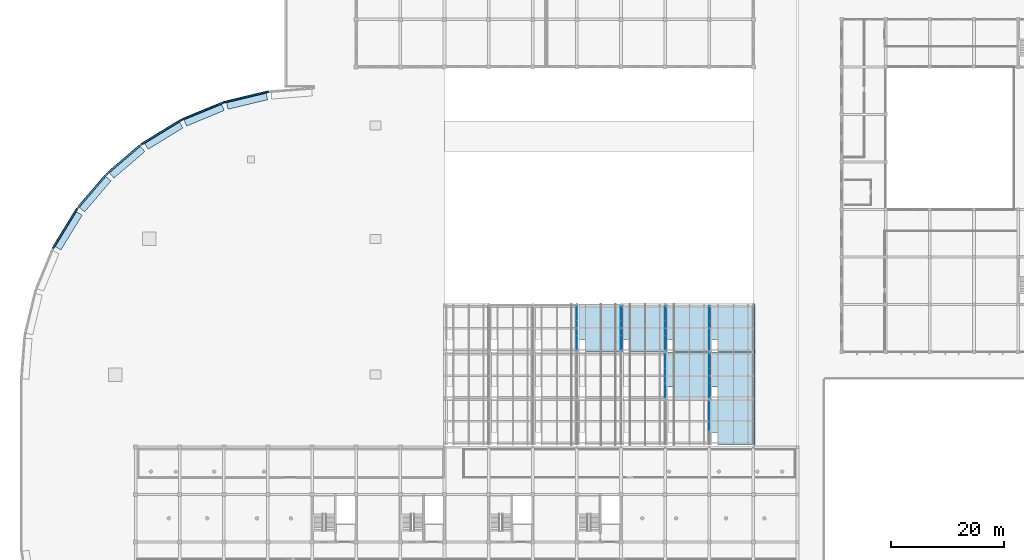
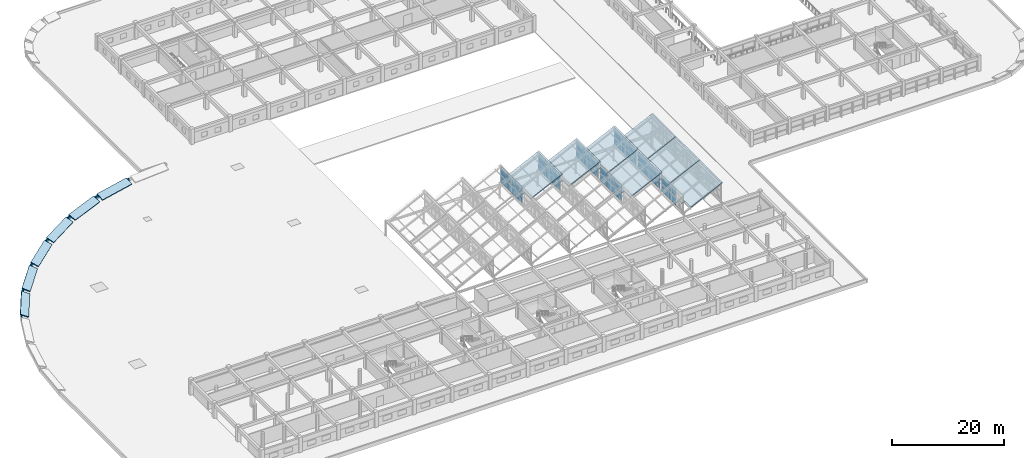
# One storey, part 77 of 101: 46 plates, 13 slabs, 7 elements without a shape of their own.
"""IFC4 building model written with IfcOpenShell, lengths in metres."""

import ifcopenshell
import ifcopenshell.guid

model = None  # the IFC model being written
_history = None  # IfcOwnerHistory: only IFC2X3 demands one
_inside = {}  # id of a spatial element -> (the spatial element, [elements in it])
_under = {}  # id of a project, library or spatial element -> (it, [spatial elements below it])
_declared = {}  # id of a project -> (the project, [libraries it declares])
_typed = {}  # id of a type object -> (the type object, [elements of that type])
_made_of = {}  # id of a material, layer set ... -> (it, [elements and type objects made of it])


def new_model(schema):
    """Start an empty IFC model of exactly this schema.

    Asked for "IFC4X3", IfcOpenShell would pick the latest addendum, in which some entities
    have other attributes; the version numbers below select the first issue.
    IFC2X3 requires an IfcOwnerHistory on every rooted entity: one is made here for all.
    """
    global model, _history
    if schema == "IFC4X3":
        model = ifcopenshell.file(schema_version=(4, 3, 0, 0))
    else:
        model = ifcopenshell.file(schema=schema)
    _inside.clear()
    _under.clear()
    _declared.clear()
    _typed.clear()
    _made_of.clear()
    _history = None
    if model.schema == "IFC2X3":
        org = make("IfcOrganization", Name="unknown")
        user = make(
            "IfcPersonAndOrganization",
            ThePerson=make("IfcPerson", FamilyName="unknown"),
            TheOrganization=org,
        )
        app = make(
            "IfcApplication",
            ApplicationDeveloper=org,
            Version="unknown",
            ApplicationFullName="unknown",
            ApplicationIdentifier="unknown",
        )
        _history = make(
            "IfcOwnerHistory",
            OwningUser=user,
            OwningApplication=app,
            ChangeAction="ADDED",
            CreationDate=0,
        )
    return model


def make(cls, **values):
    """One entity of the class cls with the attributes given. An attribute that is None is left unset."""
    return model.create_entity(
        cls, **{name: value for name, value in values.items() if value is not None}
    )


def rooted(cls, **values):
    """An entity with a GlobalId (a new one), such as an element, a storey or a relation."""
    return make(cls, GlobalId=ifcopenshell.guid.new(), OwnerHistory=_history, **values)


def si_unit(unit_type, name, prefix=None):
    """IfcSIUnit, for example si_unit("LENGTHUNIT", "METRE", prefix="MILLI")."""
    return make("IfcSIUnit", UnitType=unit_type, Prefix=prefix, Name=name)


def assignment(units):
    """IfcUnitAssignment: the units of a project."""
    return None if units is None else make("IfcUnitAssignment", Units=units)


def point(xyz):
    """IfcCartesianPoint."""
    return None if xyz is None else make("IfcCartesianPoint", Coordinates=xyz)


def direction(xyz):
    """IfcDirection."""
    return None if xyz is None else make("IfcDirection", DirectionRatios=xyz)


def frame(location, z_axis=None, x_axis=None):
    """IfcAxis2Placement3D, a coordinate frame: its origin and axes. An axis left out is left unset."""
    return make(
        "IfcAxis2Placement3D",
        Location=point(location),
        Axis=direction(z_axis),
        RefDirection=direction(x_axis),
    )


def frame_2d(location, x_axis=None):
    """IfcAxis2Placement2D, a coordinate frame in the plane: its origin and x axis."""
    return make(
        "IfcAxis2Placement2D", Location=point(location), RefDirection=direction(x_axis)
    )


def origin():
    """The frame at (0, 0, 0) with its axes left unset."""
    return frame((0.0, 0.0, 0.0))


def origin_2d():
    """The frame at (0, 0) in the plane with its x axis left unset."""
    return frame_2d((0.0, 0.0))


def place(relative_to, where):
    """IfcLocalPlacement: puts the frame where relative to a parent placement (None: the world)."""
    return make(
        "IfcLocalPlacement", PlacementRelTo=relative_to, RelativePlacement=where
    )


def context(
    kind, dimensions, precision=None, world=None, true_north=None, identifier=None
):
    """IfcGeometricRepresentationContext, for example the 3D "Model" context."""
    return make(
        "IfcGeometricRepresentationContext",
        ContextIdentifier=identifier,
        ContextType=kind,
        CoordinateSpaceDimension=dimensions,
        Precision=precision,
        WorldCoordinateSystem=world,
        TrueNorth=true_north,
    )


def subcontext(parent, identifier, kind, view, scale=None):
    """IfcGeometricRepresentationSubContext, for example "Body" below "Model"."""
    return make(
        "IfcGeometricRepresentationSubContext",
        ContextIdentifier=identifier,
        ContextType=kind,
        ParentContext=parent,
        TargetScale=scale,
        TargetView=view,
    )


def project(units=None, contexts=None):
    """IfcProject with its units and contexts."""
    return rooted(
        "IfcProject",
        Name="project",
        RepresentationContexts=contexts,
        UnitsInContext=assignment(units),
    )


def spatial(cls, under=None, at=None, **own):
    """A site, building, storey or space (cls), placed at a placement, below another one or the project."""
    s = rooted(cls, ObjectPlacement=at, **own)
    if under is not None:
        _under.setdefault(under.id(), (under, []))[1].append(s)
    return s


def polyline(points):
    """IfcPolyline through the points."""
    return make("IfcPolyline", Points=[point(p) for p in points])


def profile(cls, at=None, kind="AREA", **sizes):
    """A parametric profile (cls). Its sizes go by their IFC names, for example OverallWidth=200.0."""
    return make(cls, ProfileType=kind, Position=at, **sizes)


def rectangle(**sizes):
    """IfcRectangleProfileDef."""
    return profile("IfcRectangleProfileDef", **sizes)


def outline(outer, holes=None, kind="AREA"):
    """IfcArbitraryClosedProfileDef: a profile drawn as a closed curve; with holes, ...WithVoids."""
    if holes is None:
        return make("IfcArbitraryClosedProfileDef", ProfileType=kind, OuterCurve=outer)
    return make(
        "IfcArbitraryProfileDefWithVoids",
        ProfileType=kind,
        OuterCurve=outer,
        InnerCurves=holes,
    )


def extrude(swept, where, along, depth):
    """IfcExtrudedAreaSolid: the profile swept, set in the frame where, extruded along a direction by depth."""
    return make(
        "IfcExtrudedAreaSolid",
        SweptArea=swept,
        Position=where,
        ExtrudedDirection=direction(along),
        Depth=depth,
    )


def shape(context_of_items, identifier, shape_type, items):
    """IfcShapeRepresentation: the items that make up one representation, for example the "Body"."""
    return make(
        "IfcShapeRepresentation",
        ContextOfItems=context_of_items,
        RepresentationIdentifier=identifier,
        RepresentationType=shape_type,
        Items=items,
    )


def material(Name=None, Category=None):
    """IfcMaterial."""
    return make("IfcMaterial", Name=Name, Category=Category)


def layer(
    of_material, thickness, ventilated=None, Name=None, Category=None, Priority=None
):
    """IfcMaterialLayer: one layer of a wall or slab, of a material (None: an air gap)."""
    return make(
        "IfcMaterialLayer",
        Material=of_material,
        LayerThickness=thickness,
        IsVentilated=ventilated,
        Name=Name,
        Category=Category,
        Priority=Priority,
    )


def layer_set(layers, Name=None):
    """IfcMaterialLayerSet."""
    return make("IfcMaterialLayerSet", MaterialLayers=layers, LayerSetName=Name)


def made_of(thing, what):
    """Note that an element or type object is made of a material, layer set ...; save() writes the relation."""
    if what is not None:
        _made_of.setdefault(what.id(), (what, []))[1].append(thing)
    return thing


def type_object(cls, material=None, **own):
    """A type object (cls), such as IfcWallType, which elements share."""
    return made_of(rooted(cls, **own), material)


def element(
    cls,
    number,
    at=None,
    inside=None,
    cuts=None,
    type_object=None,
    material=None,
    context=None,
    identifier="Body",
    shape_type=None,
    held_by="IfcProductDefinitionShape",
    body=None,
    shapes=None,
    **own,
):
    """One element of the class cls, such as IfcWall. Its Tag is "e" and its number.

    at: its placement. inside: the storey or other place that contains it. cuts: it is an
    opening in that element (IfcRelVoidsElement). A single representation is given by context,
    identifier, shape_type and body (its items); several are given by shapes. held_by: the class
    of the entity that holds the representations. save() writes the other relations.
    """
    e = rooted(cls, Tag="e%d" % number, ObjectPlacement=at, **own)
    if body is not None:
        shapes = [shape(context, identifier, shape_type, body)]
    if shapes is not None:
        e.Representation = make(held_by, Representations=shapes)
    if inside is not None:
        _inside.setdefault(inside.id(), (inside, []))[1].append(e)
    if cuts is not None:
        rooted(
            "IfcRelVoidsElement", RelatingBuildingElement=cuts, RelatedOpeningElement=e
        )
    if type_object is not None:
        _typed.setdefault(type_object.id(), (type_object, []))[1].append(e)
    return made_of(e, material)


def aggregate(whole, parts):
    """IfcRelAggregates: a whole, such as a stair, and the parts it consists of."""
    return rooted("IfcRelAggregates", RelatingObject=whole, RelatedObjects=parts)


def save(model, path):
    """Write the relations noted so far, then the file.

    IfcRelAggregates (storeys below a building ...), IfcRelContainedInSpatialStructure (elements
    in a storey), IfcRelDefinesByType, IfcRelAssociatesMaterial and IfcRelDeclares: one each for
    every whole, place, type object, material and project.
    """
    for whole, parts in _under.values():
        aggregate(whole, parts)
    for where, things in _inside.values():
        rooted(
            "IfcRelContainedInSpatialStructure",
            RelatedElements=things,
            RelatingStructure=where,
        )
    for kind, things in _typed.values():
        rooted("IfcRelDefinesByType", RelatedObjects=things, RelatingType=kind)
    for what, things in _made_of.values():
        rooted("IfcRelAssociatesMaterial", RelatedObjects=things, RelatingMaterial=what)
    for by, libraries in _declared.values():
        rooted("IfcRelDeclares", RelatingContext=by, RelatedDefinitions=libraries)
    model.write(path)


model = new_model("IFC4")

# Units and contexts
model_context = context("Model", 3, precision=1e-05, world=origin(), true_north=direction((0.0, 1.0)))
body_context = subcontext(model_context, "Body", "Model", "MODEL_VIEW")
ifc_project = project(units=[si_unit("LENGTHUNIT", "METRE"), si_unit("AREAUNIT", "SQUARE_METRE"), si_unit("VOLUMEUNIT", "CUBIC_METRE"), si_unit("PLANEANGLEUNIT", "RADIAN"), si_unit("MASSUNIT", "GRAM", prefix="KILO")], contexts=[model_context])

# Site, building, storey
site_placement = place(None, origin())
site = spatial("IfcSite", under=ifc_project, at=site_placement, CompositionType="ELEMENT")
building_placement = place(site_placement, origin())
building = spatial("IfcBuilding", under=site, at=building_placement, Name="Zizhar Promenade General Hospital", CompositionType="ELEMENT")
storey_placement = place(building_placement, frame((0.0, 0.0, 14.39990234375)))
storey = spatial("IfcBuildingStorey", under=building, at=storey_placement, Name="L03", CompositionType="ELEMENT", Elevation=14.39990234375)

# Curtain wall, plates
ifc_material_1 = material(Name="Anodised aluminium 6063-T6 and low-E glass", Category="aluminium")
ifc_layer_1 = layer(ifc_material_1, 0.159912109375)
ifc_layer_set_1 = layer_set([ifc_layer_1], Name="Anodised aluminium 6063-T6 and low-E glass")
curtain_wall_type_1 = type_object("IfcCurtainWallType", Name="CW-SAW-NL3", PredefinedType="NOTDEFINED", material=ifc_layer_set_1)
curtain_wall_1_placement = place(storey_placement, origin())
curtain_wall_1 = element("IfcCurtainWall", 1, at=curtain_wall_1_placement, inside=storey, type_object=curtain_wall_type_1, Name="Sawtooth Clerestory Light B3-S3", PredefinedType="NOTDEFINED")
ifc_material_2 = material(Name="Low-E solar-control glass", Category="glass")
ifc_layer_2 = layer(ifc_material_2, 0.028076171875)
ifc_layer_set_2 = layer_set([ifc_layer_2], Name="Low-E solar-control glass")
plate_type_1 = type_object("IfcPlateType", Name="CWP-GLZ-28", PredefinedType="CURTAIN_PANEL", material=ifc_layer_set_2)
plate_1_placement = place(storey_placement, frame((93.60009765625, 43.614990234375, 3.91015625), z_axis=(0.0, 0.0, 1.0), x_axis=(0.0, 1.0, 0.0)))
plate_1 = element("IfcPlate", 2, at=plate_1_placement, type_object=plate_type_1, Name="CW-05 panel 1.1", PredefinedType="CURTAIN_PANEL", context=body_context, shape_type="SweptSolid", body=[
    extrude(rectangle(XDim=2.510009765625, YDim=0.028076171875, at=origin_2d()), origin(), (0.0, 0.0, 1.0), 1.760009765625),
])
plate_2_placement = place(storey_placement, frame((93.60009765625, 43.614990234375, 5.72998046875), z_axis=(0.0, 0.0, 1.0), x_axis=(0.0, 1.0, 0.0)))
plate_2 = element("IfcPlate", 3, at=plate_2_placement, type_object=plate_type_1, Name="CW-05 panel 1.2", PredefinedType="CURTAIN_PANEL", context=body_context, shape_type="SweptSolid", body=[
    extrude(rectangle(XDim=2.510009765625, YDim=0.028076171875, at=origin_2d()), origin(), (0.0, 0.0, 1.0), 1.760009765625),
])
plate_3_placement = place(storey_placement, frame((93.60009765625, 46.199951171875, 3.91015625), z_axis=(0.0, 0.0, 1.0), x_axis=(0.0, 1.0, 0.0)))
plate_3 = element("IfcPlate", 4, at=plate_3_placement, type_object=plate_type_1, Name="CW-05 panel 2.1", PredefinedType="CURTAIN_PANEL", context=body_context, shape_type="SweptSolid", body=[
    extrude(rectangle(XDim=2.5400390625, YDim=0.028076171875, at=origin_2d()), origin(), (0.0, 0.0, 1.0), 1.760009765625),
])
plate_4_placement = place(storey_placement, frame((93.60009765625, 46.199951171875, 5.72998046875), z_axis=(0.0, 0.0, 1.0), x_axis=(0.0, 1.0, 0.0)))
plate_4 = element("IfcPlate", 5, at=plate_4_placement, type_object=plate_type_1, Name="CW-05 panel 2.2", PredefinedType="CURTAIN_PANEL", context=body_context, shape_type="SweptSolid", body=[
    extrude(rectangle(XDim=2.5400390625, YDim=0.028076171875, at=origin_2d()), origin(), (0.0, 0.0, 1.0), 1.760009765625),
])
plate_5_placement = place(storey_placement, frame((93.60009765625, 48.784912109375, 3.91015625), z_axis=(0.0, 0.0, 1.0), x_axis=(0.0, 1.0, 0.0)))
plate_5 = element("IfcPlate", 6, at=plate_5_placement, type_object=plate_type_1, Name="CW-05 panel 3.1", PredefinedType="CURTAIN_PANEL", context=body_context, shape_type="SweptSolid", body=[
    extrude(rectangle(XDim=2.510009765625, YDim=0.028076171875, at=origin_2d()), origin(), (0.0, 0.0, 1.0), 1.760009765625),
])
plate_6_placement = place(storey_placement, frame((93.60009765625, 48.784912109375, 5.72998046875), z_axis=(0.0, 0.0, 1.0), x_axis=(0.0, 1.0, 0.0)))
plate_6 = element("IfcPlate", 7, at=plate_6_placement, type_object=plate_type_1, Name="CW-05 panel 3.2", PredefinedType="CURTAIN_PANEL", context=body_context, shape_type="SweptSolid", body=[
    extrude(rectangle(XDim=2.510009765625, YDim=0.028076171875, at=origin_2d()), origin(), (0.0, 0.0, 1.0), 1.760009765625),
])
aggregate(curtain_wall_1, [plate_1, plate_2, plate_3, plate_4, plate_5, plate_6])

curtain_wall_2_placement = place(storey_placement, origin())
curtain_wall_2 = element("IfcCurtainWall", 8, at=curtain_wall_2_placement, inside=storey, type_object=curtain_wall_type_1, Name="Sawtooth Clerestory Light B4-S3", PredefinedType="NOTDEFINED")
plate_7_placement = place(storey_placement, frame((101.39990234375, 43.614990234375, 3.91015625), z_axis=(0.0, 0.0, 1.0), x_axis=(0.0, 1.0, 0.0)))
plate_7 = element("IfcPlate", 9, at=plate_7_placement, type_object=plate_type_1, Name="CW-05 panel 1.1", PredefinedType="CURTAIN_PANEL", context=body_context, shape_type="SweptSolid", body=[
    extrude(rectangle(XDim=2.510009765625, YDim=0.028076171875, at=origin_2d()), origin(), (0.0, 0.0, 1.0), 1.760009765625),
])
plate_8_placement = place(storey_placement, frame((101.39990234375, 43.614990234375, 5.72998046875), z_axis=(0.0, 0.0, 1.0), x_axis=(0.0, 1.0, 0.0)))
plate_8 = element("IfcPlate", 10, at=plate_8_placement, type_object=plate_type_1, Name="CW-05 panel 1.2", PredefinedType="CURTAIN_PANEL", context=body_context, shape_type="SweptSolid", body=[
    extrude(rectangle(XDim=2.510009765625, YDim=0.028076171875, at=origin_2d()), origin(), (0.0, 0.0, 1.0), 1.760009765625),
])
plate_9_placement = place(storey_placement, frame((101.39990234375, 46.199951171875, 3.91015625), z_axis=(0.0, 0.0, 1.0), x_axis=(0.0, 1.0, 0.0)))
plate_9 = element("IfcPlate", 11, at=plate_9_placement, type_object=plate_type_1, Name="CW-05 panel 2.1", PredefinedType="CURTAIN_PANEL", context=body_context, shape_type="SweptSolid", body=[
    extrude(rectangle(XDim=2.5400390625, YDim=0.028076171875, at=origin_2d()), origin(), (0.0, 0.0, 1.0), 1.760009765625),
])
plate_10_placement = place(storey_placement, frame((101.39990234375, 46.199951171875, 5.72998046875), z_axis=(0.0, 0.0, 1.0), x_axis=(0.0, 1.0, 0.0)))
plate_10 = element("IfcPlate", 12, at=plate_10_placement, type_object=plate_type_1, Name="CW-05 panel 2.2", PredefinedType="CURTAIN_PANEL", context=body_context, shape_type="SweptSolid", body=[
    extrude(rectangle(XDim=2.5400390625, YDim=0.028076171875, at=origin_2d()), origin(), (0.0, 0.0, 1.0), 1.760009765625),
])
plate_11_placement = place(storey_placement, frame((101.39990234375, 48.784912109375, 3.91015625), z_axis=(0.0, 0.0, 1.0), x_axis=(0.0, 1.0, 0.0)))
plate_11 = element("IfcPlate", 13, at=plate_11_placement, type_object=plate_type_1, Name="CW-05 panel 3.1", PredefinedType="CURTAIN_PANEL", context=body_context, shape_type="SweptSolid", body=[
    extrude(rectangle(XDim=2.510009765625, YDim=0.028076171875, at=origin_2d()), origin(), (0.0, 0.0, 1.0), 1.760009765625),
])
plate_12_placement = place(storey_placement, frame((101.39990234375, 48.784912109375, 5.72998046875), z_axis=(0.0, 0.0, 1.0), x_axis=(0.0, 1.0, 0.0)))
plate_12 = element("IfcPlate", 14, at=plate_12_placement, type_object=plate_type_1, Name="CW-05 panel 3.2", PredefinedType="CURTAIN_PANEL", context=body_context, shape_type="SweptSolid", body=[
    extrude(rectangle(XDim=2.510009765625, YDim=0.028076171875, at=origin_2d()), origin(), (0.0, 0.0, 1.0), 1.760009765625),
])
aggregate(curtain_wall_2, [plate_7, plate_8, plate_9, plate_10, plate_11, plate_12])

ifc_material_3 = material(Name="Anodised aluminium 6063-T6 and low-E glass", Category="aluminium")
ifc_layer_3 = layer(ifc_material_3, 0.159912109375)
ifc_layer_set_3 = layer_set([ifc_layer_3], Name="Anodised aluminium 6063-T6 and low-E glass")
curtain_wall_type_2 = type_object("IfcCurtainWallType", Name="CW-SAW-NL2", PredefinedType="NOTDEFINED", material=ifc_layer_set_3)
curtain_wall_3_placement = place(storey_placement, origin())
curtain_wall_3 = element("IfcCurtainWall", 15, at=curtain_wall_3_placement, inside=storey, type_object=curtain_wall_type_2, Name="Sawtooth Clerestory Light B5-S2", PredefinedType="NOTDEFINED")
plate_13_placement = place(storey_placement, frame((109.199951171875, 35.215087890625, 3.91015625), z_axis=(0.0, 0.0, 1.0), x_axis=(0.0, 1.0, 0.0)))
plate_13 = element("IfcPlate", 16, at=plate_13_placement, type_object=plate_type_1, Name="CW-04 panel 1.1", PredefinedType="CURTAIN_PANEL", context=body_context, shape_type="SweptSolid", body=[
    extrude(rectangle(XDim=2.510009765625, YDim=0.028076171875, at=origin_2d()), origin(), (0.0, 0.0, 1.0), 1.760009765625),
])
plate_14_placement = place(storey_placement, frame((109.199951171875, 35.215087890625, 5.72998046875), z_axis=(0.0, 0.0, 1.0), x_axis=(0.0, 1.0, 0.0)))
plate_14 = element("IfcPlate", 17, at=plate_14_placement, type_object=plate_type_1, Name="CW-04 panel 1.2", PredefinedType="CURTAIN_PANEL", context=body_context, shape_type="SweptSolid", body=[
    extrude(rectangle(XDim=2.510009765625, YDim=0.028076171875, at=origin_2d()), origin(), (0.0, 0.0, 1.0), 1.760009765625),
])
plate_15_placement = place(storey_placement, frame((109.199951171875, 37.800048828125, 3.91015625), z_axis=(0.0, 0.0, 1.0), x_axis=(0.0, 1.0, 0.0)))
plate_15 = element("IfcPlate", 18, at=plate_15_placement, type_object=plate_type_1, Name="CW-04 panel 2.1", PredefinedType="CURTAIN_PANEL", context=body_context, shape_type="SweptSolid", body=[
    extrude(rectangle(XDim=2.5400390625, YDim=0.028076171875, at=origin_2d()), origin(), (0.0, 0.0, 1.0), 1.760009765625),
])
plate_16_placement = place(storey_placement, frame((109.199951171875, 37.800048828125, 5.72998046875), z_axis=(0.0, 0.0, 1.0), x_axis=(0.0, 1.0, 0.0)))
plate_16 = element("IfcPlate", 19, at=plate_16_placement, type_object=plate_type_1, Name="CW-04 panel 2.2", PredefinedType="CURTAIN_PANEL", context=body_context, shape_type="SweptSolid", body=[
    extrude(rectangle(XDim=2.5400390625, YDim=0.028076171875, at=origin_2d()), origin(), (0.0, 0.0, 1.0), 1.760009765625),
])
plate_17_placement = place(storey_placement, frame((109.199951171875, 40.385009765625, 3.91015625), z_axis=(0.0, 0.0, 1.0), x_axis=(0.0, 1.0, 0.0)))
plate_17 = element("IfcPlate", 20, at=plate_17_placement, type_object=plate_type_1, Name="CW-04 panel 3.1", PredefinedType="CURTAIN_PANEL", context=body_context, shape_type="SweptSolid", body=[
    extrude(rectangle(XDim=2.510009765625, YDim=0.028076171875, at=origin_2d()), origin(), (0.0, 0.0, 1.0), 1.760009765625),
])
plate_18_placement = place(storey_placement, frame((109.199951171875, 40.385009765625, 5.72998046875), z_axis=(0.0, 0.0, 1.0), x_axis=(0.0, 1.0, 0.0)))
plate_18 = element("IfcPlate", 21, at=plate_18_placement, type_object=plate_type_1, Name="CW-04 panel 3.2", PredefinedType="CURTAIN_PANEL", context=body_context, shape_type="SweptSolid", body=[
    extrude(rectangle(XDim=2.510009765625, YDim=0.028076171875, at=origin_2d()), origin(), (0.0, 0.0, 1.0), 1.760009765625),
])
aggregate(curtain_wall_3, [plate_13, plate_14, plate_15, plate_16, plate_17, plate_18])

curtain_wall_4_placement = place(storey_placement, origin())
curtain_wall_4 = element("IfcCurtainWall", 22, at=curtain_wall_4_placement, inside=storey, type_object=curtain_wall_type_1, Name="Sawtooth Clerestory Light B5-S3", PredefinedType="NOTDEFINED")
plate_19_placement = place(storey_placement, frame((109.199951171875, 43.614990234375, 3.91015625), z_axis=(0.0, 0.0, 1.0), x_axis=(0.0, 1.0, 0.0)))
plate_19 = element("IfcPlate", 23, at=plate_19_placement, type_object=plate_type_1, Name="CW-05 panel 1.1", PredefinedType="CURTAIN_PANEL", context=body_context, shape_type="SweptSolid", body=[
    extrude(rectangle(XDim=2.510009765625, YDim=0.028076171875, at=origin_2d()), origin(), (0.0, 0.0, 1.0), 1.760009765625),
])
plate_20_placement = place(storey_placement, frame((109.199951171875, 43.614990234375, 5.72998046875), z_axis=(0.0, 0.0, 1.0), x_axis=(0.0, 1.0, 0.0)))
plate_20 = element("IfcPlate", 24, at=plate_20_placement, type_object=plate_type_1, Name="CW-05 panel 1.2", PredefinedType="CURTAIN_PANEL", context=body_context, shape_type="SweptSolid", body=[
    extrude(rectangle(XDim=2.510009765625, YDim=0.028076171875, at=origin_2d()), origin(), (0.0, 0.0, 1.0), 1.760009765625),
])
plate_21_placement = place(storey_placement, frame((109.199951171875, 46.199951171875, 3.91015625), z_axis=(0.0, 0.0, 1.0), x_axis=(0.0, 1.0, 0.0)))
plate_21 = element("IfcPlate", 25, at=plate_21_placement, type_object=plate_type_1, Name="CW-05 panel 2.1", PredefinedType="CURTAIN_PANEL", context=body_context, shape_type="SweptSolid", body=[
    extrude(rectangle(XDim=2.5400390625, YDim=0.028076171875, at=origin_2d()), origin(), (0.0, 0.0, 1.0), 1.760009765625),
])
plate_22_placement = place(storey_placement, frame((109.199951171875, 46.199951171875, 5.72998046875), z_axis=(0.0, 0.0, 1.0), x_axis=(0.0, 1.0, 0.0)))
plate_22 = element("IfcPlate", 26, at=plate_22_placement, type_object=plate_type_1, Name="CW-05 panel 2.2", PredefinedType="CURTAIN_PANEL", context=body_context, shape_type="SweptSolid", body=[
    extrude(rectangle(XDim=2.5400390625, YDim=0.028076171875, at=origin_2d()), origin(), (0.0, 0.0, 1.0), 1.760009765625),
])
plate_23_placement = place(storey_placement, frame((109.199951171875, 48.784912109375, 3.91015625), z_axis=(0.0, 0.0, 1.0), x_axis=(0.0, 1.0, 0.0)))
plate_23 = element("IfcPlate", 27, at=plate_23_placement, type_object=plate_type_1, Name="CW-05 panel 3.1", PredefinedType="CURTAIN_PANEL", context=body_context, shape_type="SweptSolid", body=[
    extrude(rectangle(XDim=2.510009765625, YDim=0.028076171875, at=origin_2d()), origin(), (0.0, 0.0, 1.0), 1.760009765625),
])
plate_24_placement = place(storey_placement, frame((109.199951171875, 48.784912109375, 5.72998046875), z_axis=(0.0, 0.0, 1.0), x_axis=(0.0, 1.0, 0.0)))
plate_24 = element("IfcPlate", 28, at=plate_24_placement, type_object=plate_type_1, Name="CW-05 panel 3.2", PredefinedType="CURTAIN_PANEL", context=body_context, shape_type="SweptSolid", body=[
    extrude(rectangle(XDim=2.510009765625, YDim=0.028076171875, at=origin_2d()), origin(), (0.0, 0.0, 1.0), 1.760009765625),
])
aggregate(curtain_wall_4, [plate_19, plate_20, plate_21, plate_22, plate_23, plate_24])

ifc_material_4 = material(Name="Anodised aluminium 6063-T6 and low-E glass", Category="aluminium")
ifc_layer_4 = layer(ifc_material_4, 0.159912109375)
ifc_layer_set_4 = layer_set([ifc_layer_4], Name="Anodised aluminium 6063-T6 and low-E glass")
curtain_wall_type_3 = type_object("IfcCurtainWallType", Name="CW-SAW-NL1", PredefinedType="NOTDEFINED", material=ifc_layer_set_4)
curtain_wall_5_placement = place(storey_placement, origin())
curtain_wall_5 = element("IfcCurtainWall", 29, at=curtain_wall_5_placement, inside=storey, type_object=curtain_wall_type_3, Name="Sawtooth Clerestory Light B6-S1", PredefinedType="NOTDEFINED")
plate_25_placement = place(storey_placement, frame((117.0, 29.449951171875, 3.91015625), z_axis=(0.0, 0.0, 1.0), x_axis=(0.0, 1.0, 0.0)))
plate_25 = element("IfcPlate", 30, at=plate_25_placement, type_object=plate_type_1, Name="CW-03 panel 2.1", PredefinedType="CURTAIN_PANEL", context=body_context, shape_type="SweptSolid", body=[
    extrude(rectangle(XDim=2.506591796875, YDim=0.028076171875, at=origin_2d()), origin(), (0.0, 0.0, 1.0), 1.760009765625),
])
plate_26_placement = place(storey_placement, frame((117.0, 29.449951171875, 5.72998046875), z_axis=(0.0, 0.0, 1.0), x_axis=(0.0, 1.0, 0.0)))
plate_26 = element("IfcPlate", 31, at=plate_26_placement, type_object=plate_type_1, Name="CW-03 panel 2.2", PredefinedType="CURTAIN_PANEL", context=body_context, shape_type="SweptSolid", body=[
    extrude(rectangle(XDim=2.506591796875, YDim=0.028076171875, at=origin_2d()), origin(), (0.0, 0.0, 1.0), 1.760009765625),
])
plate_27_placement = place(storey_placement, frame((117.0, 32.001708984375, 3.91015625), z_axis=(0.0, 0.0, 1.0), x_axis=(0.0, 1.0, 0.0)))
plate_27 = element("IfcPlate", 32, at=plate_27_placement, type_object=plate_type_1, Name="CW-03 panel 3.1", PredefinedType="CURTAIN_PANEL", context=body_context, shape_type="SweptSolid", body=[
    extrude(rectangle(XDim=2.4765625, YDim=0.028076171875, at=origin_2d()), origin(), (0.0, 0.0, 1.0), 1.760009765625),
])
plate_28_placement = place(storey_placement, frame((117.0, 32.001708984375, 5.72998046875), z_axis=(0.0, 0.0, 1.0), x_axis=(0.0, 1.0, 0.0)))
plate_28 = element("IfcPlate", 33, at=plate_28_placement, type_object=plate_type_1, Name="CW-03 panel 3.2", PredefinedType="CURTAIN_PANEL", context=body_context, shape_type="SweptSolid", body=[
    extrude(rectangle(XDim=2.4765625, YDim=0.028076171875, at=origin_2d()), origin(), (0.0, 0.0, 1.0), 1.760009765625),
])
aggregate(curtain_wall_5, [plate_25, plate_26, plate_27, plate_28])

curtain_wall_6_placement = place(storey_placement, origin())
curtain_wall_6 = element("IfcCurtainWall", 34, at=curtain_wall_6_placement, inside=storey, type_object=curtain_wall_type_2, Name="Sawtooth Clerestory Light B6-S2", PredefinedType="NOTDEFINED")
plate_29_placement = place(storey_placement, frame((117.0, 35.215087890625, 3.91015625), z_axis=(0.0, 0.0, 1.0), x_axis=(0.0, 1.0, 0.0)))
plate_29 = element("IfcPlate", 35, at=plate_29_placement, type_object=plate_type_1, Name="CW-04 panel 1.1", PredefinedType="CURTAIN_PANEL", context=body_context, shape_type="SweptSolid", body=[
    extrude(rectangle(XDim=2.510009765625, YDim=0.028076171875, at=origin_2d()), origin(), (0.0, 0.0, 1.0), 1.760009765625),
])
plate_30_placement = place(storey_placement, frame((117.0, 35.215087890625, 5.72998046875), z_axis=(0.0, 0.0, 1.0), x_axis=(0.0, 1.0, 0.0)))
plate_30 = element("IfcPlate", 36, at=plate_30_placement, type_object=plate_type_1, Name="CW-04 panel 1.2", PredefinedType="CURTAIN_PANEL", context=body_context, shape_type="SweptSolid", body=[
    extrude(rectangle(XDim=2.510009765625, YDim=0.028076171875, at=origin_2d()), origin(), (0.0, 0.0, 1.0), 1.760009765625),
])
plate_31_placement = place(storey_placement, frame((117.0, 37.800048828125, 3.91015625), z_axis=(0.0, 0.0, 1.0), x_axis=(0.0, 1.0, 0.0)))
plate_31 = element("IfcPlate", 37, at=plate_31_placement, type_object=plate_type_1, Name="CW-04 panel 2.1", PredefinedType="CURTAIN_PANEL", context=body_context, shape_type="SweptSolid", body=[
    extrude(rectangle(XDim=2.5400390625, YDim=0.028076171875, at=origin_2d()), origin(), (0.0, 0.0, 1.0), 1.760009765625),
])
plate_32_placement = place(storey_placement, frame((117.0, 37.800048828125, 5.72998046875), z_axis=(0.0, 0.0, 1.0), x_axis=(0.0, 1.0, 0.0)))
plate_32 = element("IfcPlate", 38, at=plate_32_placement, type_object=plate_type_1, Name="CW-04 panel 2.2", PredefinedType="CURTAIN_PANEL", context=body_context, shape_type="SweptSolid", body=[
    extrude(rectangle(XDim=2.5400390625, YDim=0.028076171875, at=origin_2d()), origin(), (0.0, 0.0, 1.0), 1.760009765625),
])
plate_33_placement = place(storey_placement, frame((117.0, 40.385009765625, 3.91015625), z_axis=(0.0, 0.0, 1.0), x_axis=(0.0, 1.0, 0.0)))
plate_33 = element("IfcPlate", 39, at=plate_33_placement, type_object=plate_type_1, Name="CW-04 panel 3.1", PredefinedType="CURTAIN_PANEL", context=body_context, shape_type="SweptSolid", body=[
    extrude(rectangle(XDim=2.510009765625, YDim=0.028076171875, at=origin_2d()), origin(), (0.0, 0.0, 1.0), 1.760009765625),
])
plate_34_placement = place(storey_placement, frame((117.0, 40.385009765625, 5.72998046875), z_axis=(0.0, 0.0, 1.0), x_axis=(0.0, 1.0, 0.0)))
plate_34 = element("IfcPlate", 40, at=plate_34_placement, type_object=plate_type_1, Name="CW-04 panel 3.2", PredefinedType="CURTAIN_PANEL", context=body_context, shape_type="SweptSolid", body=[
    extrude(rectangle(XDim=2.510009765625, YDim=0.028076171875, at=origin_2d()), origin(), (0.0, 0.0, 1.0), 1.760009765625),
])
aggregate(curtain_wall_6, [plate_29, plate_30, plate_31, plate_32, plate_33, plate_34])

curtain_wall_7_placement = place(storey_placement, origin())
curtain_wall_7 = element("IfcCurtainWall", 41, at=curtain_wall_7_placement, inside=storey, type_object=curtain_wall_type_1, Name="Sawtooth Clerestory Light B6-S3", PredefinedType="NOTDEFINED")
plate_35_placement = place(storey_placement, frame((117.0, 43.614990234375, 3.91015625), z_axis=(0.0, 0.0, 1.0), x_axis=(0.0, 1.0, 0.0)))
plate_35 = element("IfcPlate", 42, at=plate_35_placement, type_object=plate_type_1, Name="CW-05 panel 1.1", PredefinedType="CURTAIN_PANEL", context=body_context, shape_type="SweptSolid", body=[
    extrude(rectangle(XDim=2.510009765625, YDim=0.028076171875, at=origin_2d()), origin(), (0.0, 0.0, 1.0), 1.760009765625),
])
plate_36_placement = place(storey_placement, frame((117.0, 43.614990234375, 5.72998046875), z_axis=(0.0, 0.0, 1.0), x_axis=(0.0, 1.0, 0.0)))
plate_36 = element("IfcPlate", 43, at=plate_36_placement, type_object=plate_type_1, Name="CW-05 panel 1.2", PredefinedType="CURTAIN_PANEL", context=body_context, shape_type="SweptSolid", body=[
    extrude(rectangle(XDim=2.510009765625, YDim=0.028076171875, at=origin_2d()), origin(), (0.0, 0.0, 1.0), 1.760009765625),
])
plate_37_placement = place(storey_placement, frame((117.0, 46.199951171875, 3.91015625), z_axis=(0.0, 0.0, 1.0), x_axis=(0.0, 1.0, 0.0)))
plate_37 = element("IfcPlate", 44, at=plate_37_placement, type_object=plate_type_1, Name="CW-05 panel 2.1", PredefinedType="CURTAIN_PANEL", context=body_context, shape_type="SweptSolid", body=[
    extrude(rectangle(XDim=2.5400390625, YDim=0.028076171875, at=origin_2d()), origin(), (0.0, 0.0, 1.0), 1.760009765625),
])
plate_38_placement = place(storey_placement, frame((117.0, 46.199951171875, 5.72998046875), z_axis=(0.0, 0.0, 1.0), x_axis=(0.0, 1.0, 0.0)))
plate_38 = element("IfcPlate", 45, at=plate_38_placement, type_object=plate_type_1, Name="CW-05 panel 2.2", PredefinedType="CURTAIN_PANEL", context=body_context, shape_type="SweptSolid", body=[
    extrude(rectangle(XDim=2.5400390625, YDim=0.028076171875, at=origin_2d()), origin(), (0.0, 0.0, 1.0), 1.760009765625),
])
plate_39_placement = place(storey_placement, frame((117.0, 48.784912109375, 3.91015625), z_axis=(0.0, 0.0, 1.0), x_axis=(0.0, 1.0, 0.0)))
plate_39 = element("IfcPlate", 46, at=plate_39_placement, type_object=plate_type_1, Name="CW-05 panel 3.1", PredefinedType="CURTAIN_PANEL", context=body_context, shape_type="SweptSolid", body=[
    extrude(rectangle(XDim=2.510009765625, YDim=0.028076171875, at=origin_2d()), origin(), (0.0, 0.0, 1.0), 1.760009765625),
])
plate_40_placement = place(storey_placement, frame((117.0, 48.784912109375, 5.72998046875), z_axis=(0.0, 0.0, 1.0), x_axis=(0.0, 1.0, 0.0)))
plate_40 = element("IfcPlate", 47, at=plate_40_placement, type_object=plate_type_1, Name="CW-05 panel 3.2", PredefinedType="CURTAIN_PANEL", context=body_context, shape_type="SweptSolid", body=[
    extrude(rectangle(XDim=2.510009765625, YDim=0.028076171875, at=origin_2d()), origin(), (0.0, 0.0, 1.0), 1.760009765625),
])
aggregate(curtain_wall_7, [plate_35, plate_36, plate_37, plate_38, plate_39, plate_40])

# Plates
ifc_material_5 = material(Name="Precast concrete C40/50", Category="concrete")
ifc_layer_5 = layer(ifc_material_5, 0.260009765625)
ifc_layer_set_5 = layer_set([ifc_layer_5], Name="Precast concrete C40/50")
plate_type_2 = type_object("IfcPlateType", Name="PL-PC-BAND950", PredefinedType="USERDEFINED", material=ifc_layer_set_5)
plate_41_placement = place(storey_placement, frame((0.0, 0.0, -0.0498046875)))
element("IfcPlate", 48, at=plate_41_placement, inside=storey, type_object=plate_type_2, Name="Three-Arm Base Roof Upturned Edge Fascia 36", ObjectType="FASCIA_BAND", PredefinedType="USERDEFINED", context=body_context, shape_type="SweptSolid", body=[
    extrude(outline(polyline([(39.0654296875, 88.159912109375), (31.131103515625, 86.2548828125), (31.196533203125, 85.982666015625), (39.130859375, 87.887451171875), (39.0654296875, 88.159912109375)])), origin(), (0.0, 0.0, 1.0), 0.7998046875),
])
plate_42_placement = place(storey_placement, frame((0.0, 0.0, -0.0498046875)))
element("IfcPlate", 49, at=plate_42_placement, inside=storey, type_object=plate_type_2, Name="Three-Arm Base Roof Upturned Edge Fascia 37", ObjectType="FASCIA_BAND", PredefinedType="USERDEFINED", context=body_context, shape_type="SweptSolid", body=[
    extrude(outline(polyline([(31.131103515625, 86.2548828125), (23.592529296875, 83.13232421875), (23.69970703125, 82.87353515625), (31.23828125, 85.99609375), (31.131103515625, 86.2548828125)])), origin(), (0.0, 0.0, 1.0), 0.7998046875),
])
plate_43_placement = place(storey_placement, frame((0.0, 0.0, -0.0498046875)))
element("IfcPlate", 50, at=plate_43_placement, inside=storey, type_object=plate_type_2, Name="Three-Arm Base Roof Upturned Edge Fascia 38", ObjectType="FASCIA_BAND", PredefinedType="USERDEFINED", context=body_context, shape_type="SweptSolid", body=[
    extrude(outline(polyline([(23.592529296875, 83.13232421875), (16.63525390625, 78.868896484375), (16.781494140625, 78.630126953125), (23.73876953125, 82.8935546875), (23.592529296875, 83.13232421875)])), origin(), (0.0, 0.0, 1.0), 0.7998046875),
])
plate_44_placement = place(storey_placement, frame((0.0, 0.0, -0.0498046875)))
element("IfcPlate", 51, at=plate_44_placement, inside=storey, type_object=plate_type_2, Name="Three-Arm Base Roof Upturned Edge Fascia 39", ObjectType="FASCIA_BAND", PredefinedType="USERDEFINED", context=body_context, shape_type="SweptSolid", body=[
    extrude(outline(polyline([(16.63525390625, 78.868896484375), (10.430419921875, 73.569580078125), (10.6123046875, 73.356689453125), (16.81689453125, 78.656005859375), (16.63525390625, 78.868896484375)])), origin(), (0.0, 0.0, 1.0), 0.7998046875),
])
plate_45_placement = place(storey_placement, frame((0.0, 0.0, -0.0498046875)))
element("IfcPlate", 52, at=plate_45_placement, inside=storey, type_object=plate_type_2, Name="Three-Arm Base Roof Upturned Edge Fascia 40", ObjectType="FASCIA_BAND", PredefinedType="USERDEFINED", context=body_context, shape_type="SweptSolid", body=[
    extrude(outline(polyline([(10.430419921875, 73.569580078125), (5.131103515625, 67.36474609375), (5.343994140625, 67.18310546875), (10.643310546875, 73.3876953125), (10.430419921875, 73.569580078125)])), origin(), (0.0, 0.0, 1.0), 0.7998046875),
])
plate_46_placement = place(storey_placement, frame((0.0, 0.0, -0.0498046875)))
element("IfcPlate", 53, at=plate_46_placement, inside=storey, type_object=plate_type_2, Name="Three-Arm Base Roof Upturned Edge Fascia 41", ObjectType="FASCIA_BAND", PredefinedType="USERDEFINED", context=body_context, shape_type="SweptSolid", body=[
    extrude(outline(polyline([(5.131103515625, 67.36474609375), (0.86767578125, 60.407470703125), (1.1064453125, 60.26123046875), (5.369873046875, 67.218505859375), (5.131103515625, 67.36474609375)])), origin(), (0.0, 0.0, 1.0), 0.7998046875),
])

# Slabs
ifc_material_6 = material(Name="Concrete C35/45", Category="concrete")
ifc_layer_6 = layer(ifc_material_6, 0.199951171875)
ifc_layer_set_6 = layer_set([ifc_layer_6], Name="Concrete C35/45")
slab_type = type_object("IfcSlabType", Name="SLB-SAW-200", PredefinedType="ROOF", material=ifc_layer_set_6)
slab_1_placement = place(storey_placement, frame((38.59912109375, 88.048095703125, 1.02001953125), z_axis=(0.082899320656, -0.345231247285, 0.934849233049), x_axis=(-0.972360094104, -0.233486289517, 1.313881e-06)))
element("IfcSlab", 54, at=slab_1_placement, inside=storey, type_object=slab_type, Name="Three-Arm Base Curved Upturned Rim 36", PredefinedType="ROOF", context=body_context, shape_type="SweptSolid", body=[
    extrude(outline(polyline([(0.0, 0.0), (7.200233644588197, 0.0), (7.200464754112886, 1.6049621061464083), (0.0004685021257877506, 1.6049088165895014), (0.0, 0.0)])), origin(), (0.0, 0.0, -1.0), 0.199951171875),
])
slab_2_placement = place(storey_placement, frame((30.68798828125, 86.071044921875, 1.02001953125), z_axis=(0.135875995355, -0.328058955023, 0.93483422911), x_axis=(-0.923892129589, -0.382653018906, 2.153526e-06)))
element("IfcSlab", 55, at=slab_2_placement, inside=storey, type_object=slab_type, Name="Three-Arm Base Curved Upturned Rim 37", PredefinedType="ROOF", context=body_context, shape_type="SweptSolid", body=[
    extrude(outline(polyline([(0.0, 0.0), (7.200080120429757, 0.0), (7.199914562130985, 1.604800575520327), (6.000130317958695e-05, 1.6047132424066886), (0.0, 0.0)])), origin(), (0.0, 0.0, -1.0), 0.199951171875),
])
slab_3_placement = place(storey_placement, frame((23.18310546875, 82.882080078125, 1.02001953125), z_axis=(0.185527350888, -0.30276272084, 0.934833855261), x_axis=(-0.852647545376, -0.522486519792, 0.0)))
element("IfcSlab", 56, at=slab_3_placement, inside=storey, type_object=slab_type, Name="Three-Arm Base Curved Upturned Rim 38", PredefinedType="ROOF", context=body_context, shape_type="SweptSolid", body=[
    extrude(outline(polyline([(0.0, 0.0), (7.200114736205746, 4.440892098500626e-16), (7.199981828244285, 1.604752461152777), (-0.00013290796146026018, 1.6047524611527761), (0.0, 0.0)])), origin(), (0.0, 0.0, -1.0), 0.199951171875),
])
slab_4_placement = place(storey_placement, frame((16.27001953125, 78.556884765625, 1.02001953125), z_axis=(0.230604577744, -0.270012946519, 0.934833962496), x_axis=(-0.760431025811, -0.649418705398, 7.934502e-06)))
element("IfcSlab", 57, at=slab_4_placement, inside=storey, type_object=slab_type, Name="Three-Arm Base Curved Upturned Rim 39", PredefinedType="ROOF", context=body_context, shape_type="SweptSolid", body=[
    extrude(outline(polyline([(0.0, 0.0), (7.199973933257766, 4.440892098500626e-16), (7.200277819223909, 1.6049146301678199), (0.00033098858343135005, 1.6045928589036433), (0.0, 0.0)])), origin(), (0.0, 0.0, -1.0), 0.199951171875),
])
slab_5_placement = place(storey_placement, frame((10.118896484375, 73.205078125, 1.02001953125), z_axis=(0.270012946519, -0.230604577744, 0.934833962496), x_axis=(-0.649418705398, -0.760431025811, -7.934502e-06)))
element("IfcSlab", 58, at=slab_5_placement, inside=storey, type_object=slab_type, Name="Three-Arm Base Curved Upturned Rim 40", PredefinedType="ROOF", context=body_context, shape_type="SweptSolid", body=[
    extrude(outline(polyline([(0.0, 0.0), (7.199973933257766, -4.440892098500626e-16), (7.199642944674334, 1.604592858903643), (-0.0003038859661430174, 1.604914630167819), (0.0, 0.0)])), origin(), (0.0, 0.0, -1.0), 0.199951171875),
])
slab_6_placement = place(storey_placement, frame((4.8798828125, 66.9560546875, 1.02001953125), z_axis=(0.30276272084, -0.185527350888, 0.934833855261), x_axis=(-0.522486519792, -0.852647545376, 0.0)))
element("IfcSlab", 59, at=slab_6_placement, inside=storey, type_object=slab_type, Name="Three-Arm Base Curved Upturned Rim 41", PredefinedType="ROOF", context=body_context, shape_type="SweptSolid", body=[
    extrude(outline(polyline([(0.0, 0.0), (7.200114736205746, -4.440892098500626e-16), (7.200247644167206, 1.6047524611527755), (0.00013290796146026018, 1.6047524611527761), (0.0, 0.0)])), origin(), (0.0, 0.0, -1.0), 0.199951171875),
])
for number, where, z_axis, x_axis, name in (
    (60, (95.10009765625, 42.0400390625, 4.5703125), (-0.432772536382, 7.040005e-06, 0.901503151244), (0.901503151267, 8.4e-11, 0.432772536393), "Main Hall Sawtooth Roof Slope B4-S3"),
    (61, (102.89990234375, 42.0400390625, 4.5703125), (-0.432772536382, 7.040005e-06, 0.901503151244), (0.901503151267, 8.4e-11, 0.432772536393), "Main Hall Sawtooth Roof Slope B5-S3"),
):
    element("IfcSlab", number, at=place(storey_placement, frame(where, z_axis=z_axis, x_axis=x_axis)), inside=storey, type_object=slab_type, Name=name, PredefinedType="ROOF", context=body_context, shape_type="SweptSolid", body=[
        extrude(outline(polyline([(0.0, 0.0), (7.232345477121436, 0.0), (7.232345477819321, 8.320068359168822), (-1.6639439308798905, 8.320068360133106), (-1.6639439313932436, 2.199951172784767), (1.8453107237072054e-10, 2.199951171820483), (0.0, 0.0)])), origin(), (0.0, 0.0, -1.0), 0.199951171875),
    ])
slab_7_placement = place(storey_placement, frame((110.699951171875, 33.639892578125, 4.5703125), z_axis=(-0.432772536016, 7.040045e-06, 0.90150315142), x_axis=(0.901503151443, 8.4e-11, 0.432772536027)))
element("IfcSlab", 62, at=slab_7_placement, inside=storey, type_object=slab_type, Name="Main Hall Sawtooth Roof Slope B6-S2", PredefinedType="ROOF", context=body_context, shape_type="SweptSolid", body=[
    extrude(outline(polyline([(0.0, 0.0), (7.232345477121471, 0.0), (7.232345477819335, 8.320068359168818), (-1.6639439308798627, 8.320068360133108), (-1.6639439313931805, 2.200195313409766), (1.845463198599269e-10, 2.2001953124454765), (0.0, 0.0)])), origin(), (0.0, 0.0, -1.0), 0.199951171875),
])
slab_8_placement = place(storey_placement, frame((110.699951171875, 42.0400390625, 4.5703125), z_axis=(-0.432772536382, 7.040005e-06, 0.901503151244), x_axis=(0.901503151267, 8.4e-11, 0.432772536393)))
element("IfcSlab", 63, at=slab_8_placement, inside=storey, type_object=slab_type, Name="Main Hall Sawtooth Roof Slope B6-S3", PredefinedType="ROOF", context=body_context, shape_type="SweptSolid", body=[
    extrude(outline(polyline([(0.0, 0.0), (7.232345477121436, 0.0), (7.232345477819321, 8.320068359168822), (-1.6639439308798905, 8.320068360133106), (-1.6639439313932436, 2.199951172784767), (1.8453107237072054e-10, 2.199951171820483), (0.0, 0.0)])), origin(), (0.0, 0.0, -1.0), 0.199951171875),
])
slab_9_placement = place(storey_placement, frame((118.5, 25.550048828125, 4.5703125), z_axis=(-0.432772408299, 7.327272e-06, 0.901503212729), x_axis=(0.901503212753, 8.6e-11, 0.432772408311)))
element("IfcSlab", 64, at=slab_9_placement, inside=storey, type_object=slab_type, Name="Main Hall Sawtooth Roof Slope B7-S1", PredefinedType="ROOF", context=body_context, shape_type="SweptSolid", body=[
    extrude(outline(polyline([(0.0, 0.0), (7.232345477133606, 3.3881317890172014e-21), (7.232345477824559, 8.010009765409976), (-1.6639439308701602, 8.010009766413607), (-1.6639439313713433, 2.1999511728195746), (1.8977065601144122e-10, 2.1999511718159432), (0.0, 0.0)])), origin(), (0.0, 0.0, -1.0), 0.199951171875),
])
slab_10_placement = place(storey_placement, frame((118.5, 33.639892578125, 4.5703125), z_axis=(-0.432772536016, 7.040045e-06, 0.90150315142), x_axis=(0.901503151443, 8.4e-11, 0.432772536027)))
element("IfcSlab", 65, at=slab_10_placement, inside=storey, type_object=slab_type, Name="Main Hall Sawtooth Roof Slope B7-S2", PredefinedType="ROOF", context=body_context, shape_type="SweptSolid", body=[
    extrude(outline(polyline([(0.0, 0.0), (7.232345477121471, 0.0), (7.232345477819335, 8.320068359168818), (-1.6639439308798627, 8.320068360133108), (-1.6639439313931805, 2.200195313409766), (1.845463198599269e-10, 2.2001953124454765), (0.0, 0.0)])), origin(), (0.0, 0.0, -1.0), 0.199951171875),
])
slab_11_placement = place(storey_placement, frame((118.5, 42.0400390625, 4.5703125), z_axis=(-0.432772536382, 7.040005e-06, 0.901503151244), x_axis=(0.901503151267, 8.4e-11, 0.432772536393)))
element("IfcSlab", 66, at=slab_11_placement, inside=storey, type_object=slab_type, Name="Main Hall Sawtooth Roof Slope B7-S3", PredefinedType="ROOF", context=body_context, shape_type="SweptSolid", body=[
    extrude(outline(polyline([(0.0, 0.0), (7.232345477121436, 0.0), (7.232345477819321, 8.320068359168822), (-1.6639439308798905, 8.320068360133106), (-1.6639439313932436, 2.199951172784767), (1.8453107237072054e-10, 2.199951171820483), (0.0, 0.0)])), origin(), (0.0, 0.0, -1.0), 0.199951171875),
])

save(model, "model.ifc")
